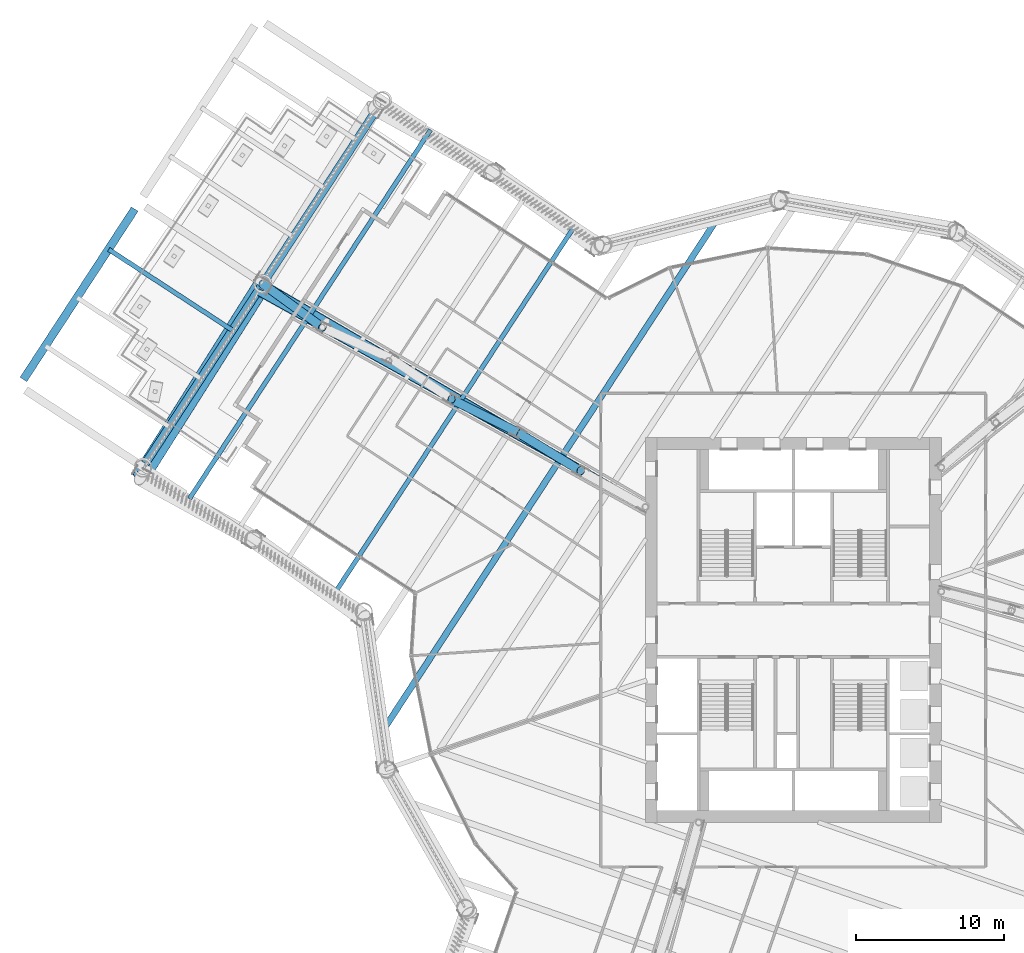
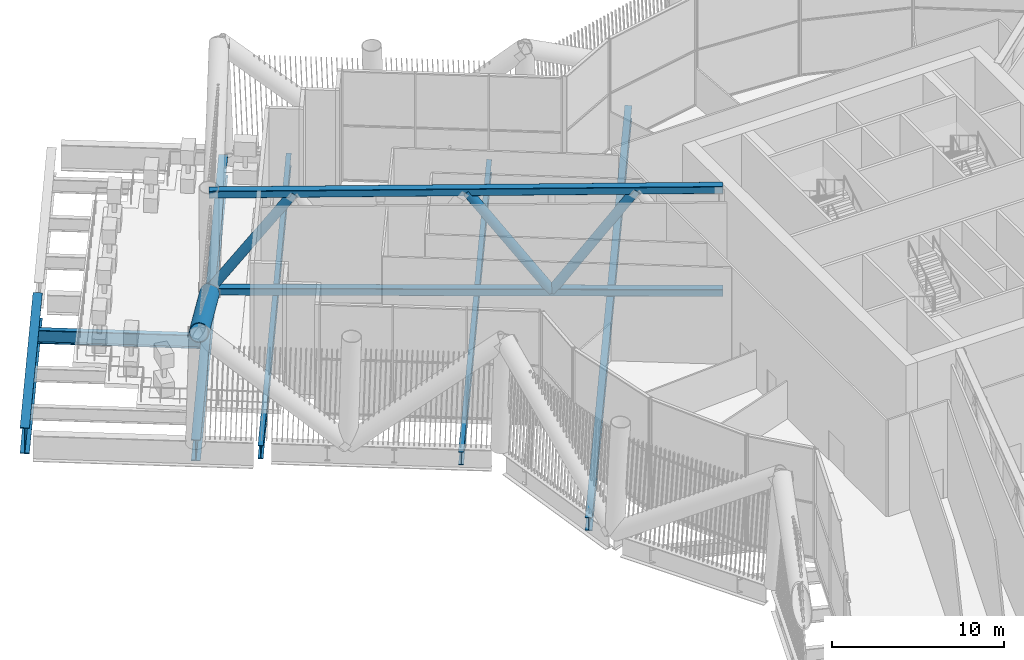
# One storey, part 25 of 63: 6 beams, 6 members.
"""IFC4 building model written with IfcOpenShell, lengths in metres."""

from ifc_helpers import new_model, si_unit, direction, frame, origin, origin_2d, place, context, subcontext, project, spatial, hollow_rectangle, hollow_circle, i_section, extrude, material, material_profile, profile_set, type_object, element, save


model = new_model("IFC4")

# Units and contexts
model_context = context("Model", 3, precision=1e-05, world=origin(), true_north=direction((0.0, 1.0)))
body_context = subcontext(model_context, "Body", "Model", "MODEL_VIEW")
ifc_project = project(units=[si_unit("LENGTHUNIT", "METRE"), si_unit("AREAUNIT", "SQUARE_METRE"), si_unit("VOLUMEUNIT", "CUBIC_METRE"), si_unit("PLANEANGLEUNIT", "RADIAN"), si_unit("MASSUNIT", "GRAM", prefix="KILO")], contexts=[model_context])

# Site, building, storey
site_placement = place(None, origin())
site = spatial("IfcSite", under=ifc_project, at=site_placement, CompositionType="ELEMENT")
building_placement = place(site_placement, origin())
building = spatial("IfcBuilding", under=site, at=building_placement, Name="Tarsis Ring Headquarters", CompositionType="ELEMENT")
storey_placement = place(building_placement, frame((0.0, 0.0, 139.60009765625)))
storey = spatial("IfcBuildingStorey", under=building, at=storey_placement, Name="L32", CompositionType="ELEMENT", Elevation=139.60009765625)

# Beams
ifc_material = material(Name="Structural steel S355", Category="steel")
ifc_material_profile_1 = material_profile(ifc_material, i_section(OverallWidth=0.309814453125, OverallDepth=0.949951171875, WebThickness=0.0244140625, FlangeThickness=0.0439453125, at=origin_2d()), Name="W36x256")
ifc_profile_set_1 = profile_set([ifc_material_profile_1], Name="Structural steel S355")
beam_type_1 = type_object("IfcBeamType", Name="FB Floor beam W36x256", PredefinedType="JOIST", material=ifc_profile_set_1)
for number, where, z_axis, x_axis, name in (
    (1, (-14.71240234375, 27.3935546875, -0.775146484375), (-0.546975788943, -0.837148425496, 0.0), (0.837148425496, -0.546975788943, 0.0), "Floor beam FB11"),
    (2, (-24.5068359375, 33.793212890625, -0.775146484375), (-0.546981536242, -0.837144670299, 0.0), (0.837144670299, -0.546981536242, 0.0), "Floor beam FB11"),
):
    element("IfcBeam", number, at=place(storey_placement, frame(where, z_axis=z_axis, x_axis=x_axis)), inside=storey, type_object=beam_type_1, Name=name, PredefinedType="JOIST", context=body_context, shape_type="SweptSolid", body=[
        extrude(i_section(OverallWidth=0.309814453125, OverallDepth=0.949951171875, WebThickness=0.0244140625, FlangeThickness=0.0439453125, at=origin_2d()), origin(), (0.0, 0.0, 1.0), 29.77001953125),
    ])
ifc_material_profile_2 = material_profile(ifc_material, i_section(OverallWidth=0.42431640625, OverallDepth=0.947509765625, WebThickness=0.02392578125, FlangeThickness=0.042724609375, at=origin_2d()), Name="W36x302")
ifc_profile_set_2 = profile_set([ifc_material_profile_2], Name="Structural steel S355")
beam_type_2 = type_object("IfcBeamType", Name="FB Floor beam W36x302", PredefinedType="JOIST", material=ifc_profile_set_2)
beam_1_placement = place(storey_placement, frame((-4.9404296875, 28.089111328125, -0.773681640625), z_axis=(-0.546978011207, -0.837146973509, 0.0), x_axis=(0.837146973509, -0.546978011207, 0.0)))
element("IfcBeam", 3, at=beam_1_placement, inside=storey, type_object=beam_type_2, Name="Floor beam FB12", PredefinedType="JOIST", context=body_context, shape_type="SweptSolid", body=[
    extrude(i_section(OverallWidth=0.42431640625, OverallDepth=0.947509765625, WebThickness=0.02392578125, FlangeThickness=0.042724609375, at=origin_2d()), origin(), (0.0, 0.0, 1.0), 41.941650390625),
])

# Members
ifc_material_profile_3 = material_profile(ifc_material, hollow_rectangle(XDim=0.508056640625, YDim=0.508056640625, WallThickness=0.025390625, InnerFilletRadius=0.025390625, OuterFilletRadius=0.05078125, at=origin_2d()), Name="HSS 508x508x25")
ifc_profile_set_3 = profile_set([ifc_material_profile_3], Name="Structural steel S355")
member_type_1 = type_object("IfcMemberType", Name="OC Outrigger chord HSS 508x508x25", PredefinedType="CHORD", material=ifc_profile_set_3)
member_1_placement = place(storey_placement, frame((-10.0, 8.32666015625, 0.25390625), z_axis=(-0.86389432758, 0.503673099118, 0.0), x_axis=(-0.503673099118, -0.86389432758, 0.0)))
element("IfcMember", 4, at=member_1_placement, inside=storey, type_object=member_type_1, Name="Outrigger chord OC1", PredefinedType="CHORD", context=body_context, shape_type="SweptSolid", body=[
    extrude(hollow_rectangle(XDim=0.508056640625, YDim=0.508056640625, WallThickness=0.025390625, InnerFilletRadius=0.025390625, OuterFilletRadius=0.05078125, at=origin_2d()), origin(), (0.0, 0.0, 1.0), 29.91259765625),
])
member_2_placement = place(storey_placement, frame((-10.0, 8.32666015625, 7.5859375), z_axis=(-0.874067656743, 0.48580421101, 0.0), x_axis=(-0.48580421101, -0.874067656743, 0.0)))
element("IfcMember", 5, at=member_2_placement, inside=storey, type_object=member_type_1, Name="Outrigger chord OC1", PredefinedType="CHORD", context=body_context, shape_type="SweptSolid", body=[
    extrude(hollow_rectangle(XDim=0.508056640625, YDim=0.508056640625, WallThickness=0.025390625, InnerFilletRadius=0.025390625, OuterFilletRadius=0.05078125, at=origin_2d()), origin(), (0.0, 0.0, 1.0), 29.9453125),
])
ifc_material_profile_4 = material_profile(ifc_material, hollow_circle(Radius=0.3046875, WallThickness=0.02490234375, at=origin_2d()), Name="CHS 610x25")
ifc_profile_set_4 = profile_set([ifc_material_profile_4], Name="Structural steel S355")
member_type_2 = type_object("IfcMemberType", Name="OD Outrigger diagonal CHS 610x25", PredefinedType="BRACE", material=ifc_profile_set_4)
member_3_placement = place(storey_placement, frame((-14.3623046875, 10.751220703125, 7.5859375), z_axis=(-0.479603195488, 0.293011278098, -0.827118592334), x_axis=(-0.521346933377, -0.853344816038, 0.0)))
element("IfcMember", 6, at=member_3_placement, inside=storey, type_object=member_type_2, Name="Outrigger diagonal OD1", PredefinedType="BRACE", context=body_context, shape_type="SweptSolid", body=[
    extrude(hollow_circle(Radius=0.3046875, WallThickness=0.02490234375, at=origin_2d()), origin(), (0.0, 0.0, 1.0), 8.864501953125),
])
member_4_placement = place(storey_placement, frame((-18.61376953125, 13.3486328125, 0.25390625), z_axis=(-0.503802214479, 0.253619583385, 0.82574840939), x_axis=(-0.449649322893, -0.893205175994, 0.0)))
element("IfcMember", 7, at=member_4_placement, inside=storey, type_object=member_type_2, Name="Outrigger diagonal OD1", PredefinedType="BRACE", context=body_context, shape_type="SweptSolid", body=[
    extrude(hollow_circle(Radius=0.3046875, WallThickness=0.02490234375, at=origin_2d()), origin(), (0.0, 0.0, 1.0), 8.879150390625),
])
member_5_placement = place(storey_placement, frame((-31.81201171875, 20.44970703125, 7.5859375), z_axis=(-0.454322005147, 0.331849961952, -0.826720701562), x_axis=(-0.589837467813, -0.807521988285, 0.0)))
element("IfcMember", 8, at=member_5_placement, inside=storey, type_object=member_type_2, Name="Outrigger diagonal OD1", PredefinedType="BRACE", context=body_context, shape_type="SweptSolid", body=[
    extrude(hollow_circle(Radius=0.3046875, WallThickness=0.02490234375, at=origin_2d()), origin(), (0.0, 0.0, 1.0), 8.868896484375),
])

# Beam
beam_type_3 = type_object("IfcBeamType", Name="TB Transfer beam W36x256", PredefinedType="BEAM", material=ifc_profile_set_1)
beam_2_placement = place(storey_placement, frame((-37.903076171875, 20.264892578125, -0.775146484375), z_axis=(-0.837149455711, 0.546974212192, 0.0), x_axis=(-0.546974212192, -0.837149455711, 0.0)))
element("IfcBeam", 9, at=beam_2_placement, inside=storey, type_object=beam_type_3, Name="Transfer beam TB11", PredefinedType="BEAM", context=body_context, shape_type="SweptSolid", body=[
    extrude(i_section(OverallWidth=0.309814453125, OverallDepth=0.949951171875, WebThickness=0.0244140625, FlangeThickness=0.0439453125, at=origin_2d()), origin(), (0.0, 0.0, 1.0), 9.969970703125),
])

# Member
ifc_material_profile_5 = material_profile(ifc_material, hollow_circle(Radius=0.584228515625, WallThickness=0.044921875, at=origin_2d()), Name="CHS 1168x45")
ifc_profile_set_5 = profile_set([ifc_material_profile_5], Name="Structural steel S355")
member_type_3 = type_object("IfcMemberType", Name="TD Belt truss diagonal CHS 1168x45", PredefinedType="BRACE", material=ifc_profile_set_5)
member_6_placement = place(storey_placement, frame((-35.829833984375, 23.41064453125, 0.0), z_axis=(-0.474388142192, -0.751003594582, 0.459292381248), x_axis=(0.84545328062, -0.534049389373, 0.0)))
element("IfcMember", 10, at=member_6_placement, inside=storey, type_object=member_type_3, Name="Belt truss diagonal TD3", PredefinedType="BRACE", context=body_context, shape_type="SweptSolid", body=[
    extrude(hollow_circle(Radius=0.584228515625, WallThickness=0.044921875, at=origin_2d()), origin(), (0.0, 0.0, 1.0), 17.418212890625),
])

# Beams
ifc_material_profile_6 = material_profile(ifc_material, i_section(OverallWidth=0.550048828125, OverallDepth=1.5, WebThickness=0.030029296875, FlangeThickness=0.050048828125, at=origin_2d()), Name="PG 1500x550x30x50")
ifc_profile_set_6 = profile_set([ifc_material_profile_6], Name="Structural steel S355")
beam_type_4 = type_object("IfcBeamType", Name="XG Ring girder PG 1500x550x30x50", PredefinedType="BEAM", material=ifc_profile_set_6)
beam_3_placement = place(storey_placement, frame((-43.77197265625, 11.25537109375, -1.050048828125), z_axis=(0.546978201009, 0.837146849496, 0.0), x_axis=(-0.837146849496, 0.546978201009, 0.0)))
element("IfcBeam", 11, at=beam_3_placement, inside=storey, type_object=beam_type_4, Name="Ring girder XG6", PredefinedType="BEAM", context=body_context, shape_type="SweptSolid", body=[
    extrude(i_section(OverallWidth=0.550048828125, OverallDepth=1.5, WebThickness=0.030029296875, FlangeThickness=0.050048828125, at=origin_2d()), origin(), (0.0, 0.0, 1.0), 29.0400390625),
])
ifc_material_profile_7 = material_profile(ifc_material, i_section(OverallWidth=0.550048828125, OverallDepth=1.85009765625, WebThickness=0.030029296875, FlangeThickness=0.050048828125, at=origin_2d()), Name="PG 1850x550x30x50")
ifc_profile_set_7 = profile_set([ifc_material_profile_7], Name="Structural steel S355")
beam_type_5 = type_object("IfcBeamType", Name="XG Ring girder PG 1850x550x30x50", PredefinedType="BEAM", material=ifc_profile_set_7)
beam_4_placement = place(storey_placement, frame((-52.009033203125, 16.930908203125, -0.925048828125), z_axis=(0.546972313071, 0.83715069655, 0.0), x_axis=(-0.83715069655, 0.546972313071, 0.0)))
element("IfcBeam", 12, at=beam_4_placement, inside=storey, type_object=beam_type_5, Name="Ring girder XG8", PredefinedType="BEAM", context=body_context, shape_type="SweptSolid", body=[
    extrude(i_section(OverallWidth=0.550048828125, OverallDepth=1.85009765625, WebThickness=0.030029296875, FlangeThickness=0.050048828125, at=origin_2d()), origin(), (0.0, 0.0, 1.0), 13.74853515625),
])

save(model, "model.ifc")
